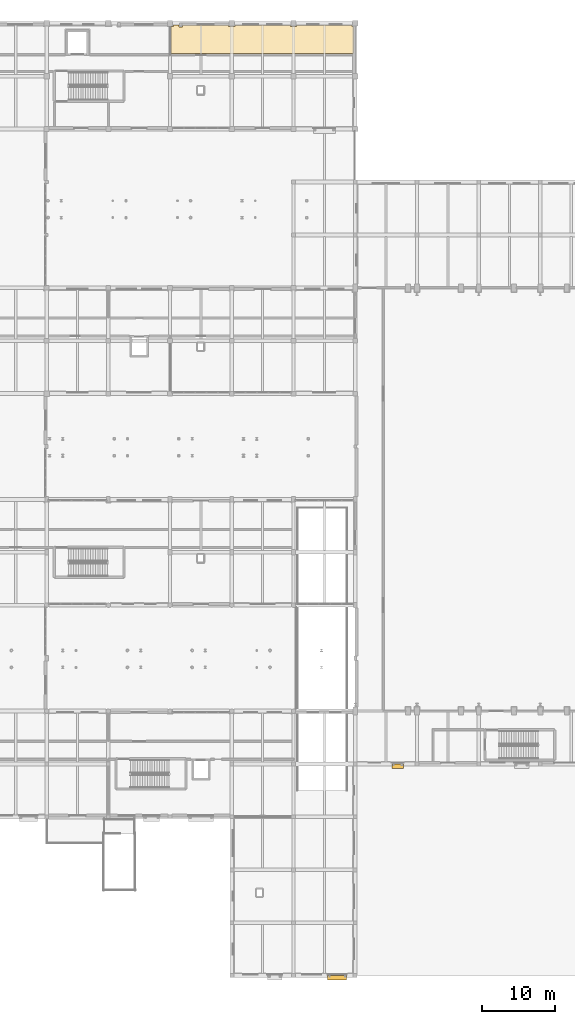
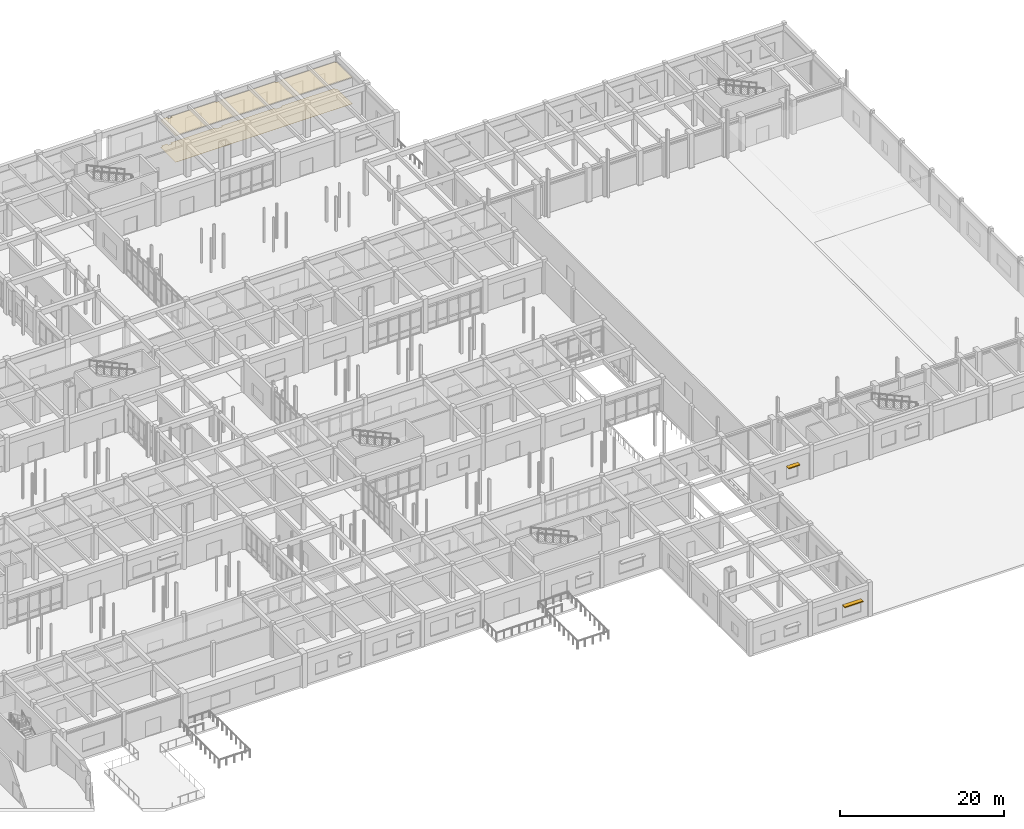
# One storey, part 116 of 121: 2 coverings, 2 shading devices.
"""IFC4 building model written with IfcOpenShell, lengths in metres."""

import ifcopenshell
import ifcopenshell.guid

model = None  # the IFC model being written
_history = None  # IfcOwnerHistory: only IFC2X3 demands one
_inside = {}  # id of a spatial element -> (the spatial element, [elements in it])
_under = {}  # id of a project, library or spatial element -> (it, [spatial elements below it])
_declared = {}  # id of a project -> (the project, [libraries it declares])
_typed = {}  # id of a type object -> (the type object, [elements of that type])
_made_of = {}  # id of a material, layer set ... -> (it, [elements and type objects made of it])


def new_model(schema):
    """Start an empty IFC model of exactly this schema.

    Asked for "IFC4X3", IfcOpenShell would pick the latest addendum, in which some entities
    have other attributes; the version numbers below select the first issue.
    IFC2X3 requires an IfcOwnerHistory on every rooted entity: one is made here for all.
    """
    global model, _history
    if schema == "IFC4X3":
        model = ifcopenshell.file(schema_version=(4, 3, 0, 0))
    else:
        model = ifcopenshell.file(schema=schema)
    _inside.clear()
    _under.clear()
    _declared.clear()
    _typed.clear()
    _made_of.clear()
    _history = None
    if model.schema == "IFC2X3":
        org = make("IfcOrganization", Name="unknown")
        user = make(
            "IfcPersonAndOrganization",
            ThePerson=make("IfcPerson", FamilyName="unknown"),
            TheOrganization=org,
        )
        app = make(
            "IfcApplication",
            ApplicationDeveloper=org,
            Version="unknown",
            ApplicationFullName="unknown",
            ApplicationIdentifier="unknown",
        )
        _history = make(
            "IfcOwnerHistory",
            OwningUser=user,
            OwningApplication=app,
            ChangeAction="ADDED",
            CreationDate=0,
        )
    return model


def make(cls, **values):
    """One entity of the class cls with the attributes given. An attribute that is None is left unset."""
    return model.create_entity(
        cls, **{name: value for name, value in values.items() if value is not None}
    )


def rooted(cls, **values):
    """An entity with a GlobalId (a new one), such as an element, a storey or a relation."""
    return make(cls, GlobalId=ifcopenshell.guid.new(), OwnerHistory=_history, **values)


def si_unit(unit_type, name, prefix=None):
    """IfcSIUnit, for example si_unit("LENGTHUNIT", "METRE", prefix="MILLI")."""
    return make("IfcSIUnit", UnitType=unit_type, Prefix=prefix, Name=name)


def assignment(units):
    """IfcUnitAssignment: the units of a project."""
    return None if units is None else make("IfcUnitAssignment", Units=units)


def point(xyz):
    """IfcCartesianPoint."""
    return None if xyz is None else make("IfcCartesianPoint", Coordinates=xyz)


def direction(xyz):
    """IfcDirection."""
    return None if xyz is None else make("IfcDirection", DirectionRatios=xyz)


def frame(location, z_axis=None, x_axis=None):
    """IfcAxis2Placement3D, a coordinate frame: its origin and axes. An axis left out is left unset."""
    return make(
        "IfcAxis2Placement3D",
        Location=point(location),
        Axis=direction(z_axis),
        RefDirection=direction(x_axis),
    )


def frame_2d(location, x_axis=None):
    """IfcAxis2Placement2D, a coordinate frame in the plane: its origin and x axis."""
    return make(
        "IfcAxis2Placement2D", Location=point(location), RefDirection=direction(x_axis)
    )


def origin():
    """The frame at (0, 0, 0) with its axes left unset."""
    return frame((0.0, 0.0, 0.0))


def origin_2d():
    """The frame at (0, 0) in the plane with its x axis left unset."""
    return frame_2d((0.0, 0.0))


def place(relative_to, where):
    """IfcLocalPlacement: puts the frame where relative to a parent placement (None: the world)."""
    return make(
        "IfcLocalPlacement", PlacementRelTo=relative_to, RelativePlacement=where
    )


def context(
    kind, dimensions, precision=None, world=None, true_north=None, identifier=None
):
    """IfcGeometricRepresentationContext, for example the 3D "Model" context."""
    return make(
        "IfcGeometricRepresentationContext",
        ContextIdentifier=identifier,
        ContextType=kind,
        CoordinateSpaceDimension=dimensions,
        Precision=precision,
        WorldCoordinateSystem=world,
        TrueNorth=true_north,
    )


def subcontext(parent, identifier, kind, view, scale=None):
    """IfcGeometricRepresentationSubContext, for example "Body" below "Model"."""
    return make(
        "IfcGeometricRepresentationSubContext",
        ContextIdentifier=identifier,
        ContextType=kind,
        ParentContext=parent,
        TargetScale=scale,
        TargetView=view,
    )


def project(units=None, contexts=None):
    """IfcProject with its units and contexts."""
    return rooted(
        "IfcProject",
        Name="project",
        RepresentationContexts=contexts,
        UnitsInContext=assignment(units),
    )


def spatial(cls, under=None, at=None, **own):
    """A site, building, storey or space (cls), placed at a placement, below another one or the project."""
    s = rooted(cls, ObjectPlacement=at, **own)
    if under is not None:
        _under.setdefault(under.id(), (under, []))[1].append(s)
    return s


def polyline(points):
    """IfcPolyline through the points."""
    return make("IfcPolyline", Points=[point(p) for p in points])


def profile(cls, at=None, kind="AREA", **sizes):
    """A parametric profile (cls). Its sizes go by their IFC names, for example OverallWidth=200.0."""
    return make(cls, ProfileType=kind, Position=at, **sizes)


def rectangle(**sizes):
    """IfcRectangleProfileDef."""
    return profile("IfcRectangleProfileDef", **sizes)


def outline(outer, holes=None, kind="AREA"):
    """IfcArbitraryClosedProfileDef: a profile drawn as a closed curve; with holes, ...WithVoids."""
    if holes is None:
        return make("IfcArbitraryClosedProfileDef", ProfileType=kind, OuterCurve=outer)
    return make(
        "IfcArbitraryProfileDefWithVoids",
        ProfileType=kind,
        OuterCurve=outer,
        InnerCurves=holes,
    )


def extrude(swept, where, along, depth):
    """IfcExtrudedAreaSolid: the profile swept, set in the frame where, extruded along a direction by depth."""
    return make(
        "IfcExtrudedAreaSolid",
        SweptArea=swept,
        Position=where,
        ExtrudedDirection=direction(along),
        Depth=depth,
    )


def shape(context_of_items, identifier, shape_type, items):
    """IfcShapeRepresentation: the items that make up one representation, for example the "Body"."""
    return make(
        "IfcShapeRepresentation",
        ContextOfItems=context_of_items,
        RepresentationIdentifier=identifier,
        RepresentationType=shape_type,
        Items=items,
    )


def material(Name=None, Category=None):
    """IfcMaterial."""
    return make("IfcMaterial", Name=Name, Category=Category)


def layer(
    of_material, thickness, ventilated=None, Name=None, Category=None, Priority=None
):
    """IfcMaterialLayer: one layer of a wall or slab, of a material (None: an air gap)."""
    return make(
        "IfcMaterialLayer",
        Material=of_material,
        LayerThickness=thickness,
        IsVentilated=ventilated,
        Name=Name,
        Category=Category,
        Priority=Priority,
    )


def layer_set(layers, Name=None):
    """IfcMaterialLayerSet."""
    return make("IfcMaterialLayerSet", MaterialLayers=layers, LayerSetName=Name)


def made_of(thing, what):
    """Note that an element or type object is made of a material, layer set ...; save() writes the relation."""
    if what is not None:
        _made_of.setdefault(what.id(), (what, []))[1].append(thing)
    return thing


def type_object(cls, material=None, **own):
    """A type object (cls), such as IfcWallType, which elements share."""
    return made_of(rooted(cls, **own), material)


def element(
    cls,
    number,
    at=None,
    inside=None,
    cuts=None,
    type_object=None,
    material=None,
    context=None,
    identifier="Body",
    shape_type=None,
    held_by="IfcProductDefinitionShape",
    body=None,
    shapes=None,
    **own,
):
    """One element of the class cls, such as IfcWall. Its Tag is "e" and its number.

    at: its placement. inside: the storey or other place that contains it. cuts: it is an
    opening in that element (IfcRelVoidsElement). A single representation is given by context,
    identifier, shape_type and body (its items); several are given by shapes. held_by: the class
    of the entity that holds the representations. save() writes the other relations.
    """
    e = rooted(cls, Tag="e%d" % number, ObjectPlacement=at, **own)
    if body is not None:
        shapes = [shape(context, identifier, shape_type, body)]
    if shapes is not None:
        e.Representation = make(held_by, Representations=shapes)
    if inside is not None:
        _inside.setdefault(inside.id(), (inside, []))[1].append(e)
    if cuts is not None:
        rooted(
            "IfcRelVoidsElement", RelatingBuildingElement=cuts, RelatedOpeningElement=e
        )
    if type_object is not None:
        _typed.setdefault(type_object.id(), (type_object, []))[1].append(e)
    return made_of(e, material)


def aggregate(whole, parts):
    """IfcRelAggregates: a whole, such as a stair, and the parts it consists of."""
    return rooted("IfcRelAggregates", RelatingObject=whole, RelatedObjects=parts)


def save(model, path):
    """Write the relations noted so far, then the file.

    IfcRelAggregates (storeys below a building ...), IfcRelContainedInSpatialStructure (elements
    in a storey), IfcRelDefinesByType, IfcRelAssociatesMaterial and IfcRelDeclares: one each for
    every whole, place, type object, material and project.
    """
    for whole, parts in _under.values():
        aggregate(whole, parts)
    for where, things in _inside.values():
        rooted(
            "IfcRelContainedInSpatialStructure",
            RelatedElements=things,
            RelatingStructure=where,
        )
    for kind, things in _typed.values():
        rooted("IfcRelDefinesByType", RelatedObjects=things, RelatingType=kind)
    for what, things in _made_of.values():
        rooted("IfcRelAssociatesMaterial", RelatedObjects=things, RelatingMaterial=what)
    for by, libraries in _declared.values():
        rooted("IfcRelDeclares", RelatingContext=by, RelatedDefinitions=libraries)
    model.write(path)


model = new_model("IFC4")

# Units and contexts
model_context = context("Model", 3, precision=1e-05, world=origin(), true_north=direction((0.0, 1.0)))
body_context = subcontext(model_context, "Body", "Model", "MODEL_VIEW")
ifc_project = project(units=[si_unit("LENGTHUNIT", "METRE"), si_unit("AREAUNIT", "SQUARE_METRE"), si_unit("VOLUMEUNIT", "CUBIC_METRE"), si_unit("PLANEANGLEUNIT", "RADIAN"), si_unit("MASSUNIT", "GRAM", prefix="KILO")], contexts=[model_context])

# Site, building, storey
site_placement = place(None, origin())
site = spatial("IfcSite", under=ifc_project, at=site_placement, CompositionType="ELEMENT")
building_placement = place(site_placement, origin())
building = spatial("IfcBuilding", under=site, at=building_placement, Name="Malvenik Polytechnic", CompositionType="ELEMENT")
storey_placement = place(building_placement, origin())
storey = spatial("IfcBuildingStorey", under=building, at=storey_placement, Name="L00", CompositionType="ELEMENT", Elevation=0.0)

# Coverings
ifc_material_1 = material(Name="Perforated mineral-fibre acoustic suspended ceiling 600x600", Category="gypsum")
ifc_layer_1 = layer(ifc_material_1, 0.02490234375)
ifc_layer_set_1 = layer_set([ifc_layer_1], Name="Perforated mineral-fibre acoustic suspended ceiling 600x600")
covering_type_1 = type_object("IfcCoveringType", Name="ARC-COV-CEIL-AC", PredefinedType="CEILING", material=ifc_layer_set_1)
covering_1_placement = place(storey_placement, frame((0.0, 0.0, 3.93505859375)))
element("IfcCovering", 1, at=covering_1_placement, inside=storey, type_object=covering_type_1, Name="Acoustic Ceiling L00 Bicycle Mobility Hub and Changing Room", PredefinedType="CEILING", context=body_context, shape_type="SweptSolid", body=[
    extrude(outline(polyline([(110.389892578125, 129.094970703125), (110.909912109375, 129.094970703125), (110.909912109375, 129.3798828125), (117.159912109375, 129.3798828125), (117.159912109375, 129.159912109375), (118.0400390625, 129.159912109375), (118.0400390625, 129.3798828125), (125.56005859375, 129.3798828125), (125.56005859375, 129.159912109375), (126.43994140625, 129.159912109375), (126.43994140625, 129.3798828125), (133.9599609375, 129.3798828125), (133.9599609375, 129.159912109375), (134.179931640625, 129.159912109375), (134.179931640625, 125.4599609375), (109.360107421875, 125.4599609375), (109.360107421875, 129.159912109375), (109.639892578125, 129.159912109375), (109.639892578125, 129.3798828125), (110.389892578125, 129.3798828125), (110.389892578125, 129.094970703125)])), origin(), (0.0, 0.0, 1.0), 0.02490234375),
])
ifc_material_2 = material(Name="Polished Danube aggregate terrazzo flooring 20mm", Category="stone")
ifc_layer_2 = layer(ifc_material_2, 0.02001953125)
ifc_layer_set_2 = layer_set([ifc_layer_2], Name="Polished Danube aggregate terrazzo flooring 20mm")
covering_type_2 = type_object("IfcCoveringType", Name="ARC-COV-FLR-TER", PredefinedType="FLOORING", material=ifc_layer_set_2)
covering_2_placement = place(storey_placement, origin())
element("IfcCovering", 2, at=covering_2_placement, inside=storey, type_object=covering_type_2, Name="Floor Finish FLR-01 L00 Bicycle Mobility Hub and Changing Room", PredefinedType="FLOORING", context=body_context, shape_type="SweptSolid", body=[
    extrude(outline(polyline([(110.389892578125, 129.094970703125), (110.909912109375, 129.094970703125), (110.909912109375, 129.3798828125), (117.159912109375, 129.3798828125), (117.159912109375, 129.159912109375), (118.0400390625, 129.159912109375), (118.0400390625, 129.3798828125), (125.56005859375, 129.3798828125), (125.56005859375, 129.159912109375), (126.43994140625, 129.159912109375), (126.43994140625, 129.3798828125), (133.9599609375, 129.3798828125), (133.9599609375, 129.159912109375), (134.179931640625, 129.159912109375), (134.179931640625, 125.4599609375), (109.360107421875, 125.4599609375), (109.360107421875, 129.159912109375), (109.639892578125, 129.159912109375), (109.639892578125, 129.3798828125), (110.389892578125, 129.3798828125), (110.389892578125, 129.094970703125)])), origin(), (0.0, 0.0, 1.0), 0.02001953125),
])

# Shading devices
ifc_material_3 = material(Name="Extruded anodised aluminium solar brise-soleil louvre", Category="aluminium")
shading_device_type = type_object("IfcShadingDeviceType", Name="ARC-SHD-LOUVRE", PredefinedType="JALOUSIE", material=ifc_material_3)
shading_device_1_placement = place(storey_placement, frame((140.18408203125, 28.5, 2.85986328125), z_axis=(0.0, 0.0, 1.0), x_axis=(1.0, 0.0, 0.0)))
element("IfcShadingDevice", 3, at=shading_device_1_placement, inside=storey, type_object=shading_device_type, Name="Solar Brise-Soleil Louvre SH-01 #17", PredefinedType="JALOUSIE", context=body_context, shape_type="SweptSolid", body=[
    extrude(rectangle(XDim=1.60009765625, YDim=0.60009765625, at=origin_2d()), origin(), (0.0, 0.0, 1.0), 0.139892578125),
])
shading_device_2_placement = place(storey_placement, frame((131.9423828125, -0.300048828125, 2.76025390625), z_axis=(0.0, 0.0, 1.0), x_axis=(1.0, 0.0, 0.0)))
element("IfcShadingDevice", 4, at=shading_device_2_placement, inside=storey, type_object=shading_device_type, Name="Solar Brise-Soleil Louvre SH-01 #18", PredefinedType="JALOUSIE", context=body_context, shape_type="SweptSolid", body=[
    extrude(rectangle(XDim=2.60009765625, YDim=0.60009765625, at=origin_2d()), origin(), (0.0, 0.0, 1.0), 0.139892578125),
])

save(model, "model.ifc")
